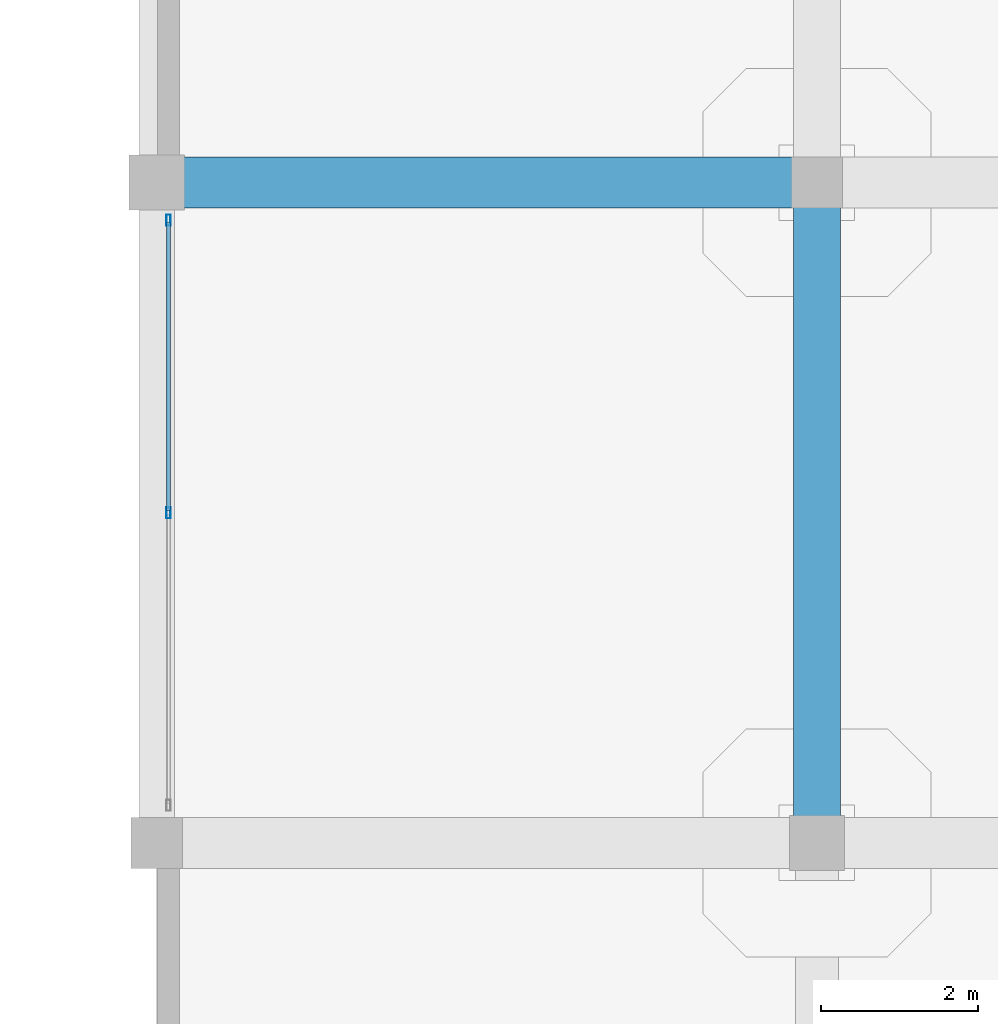
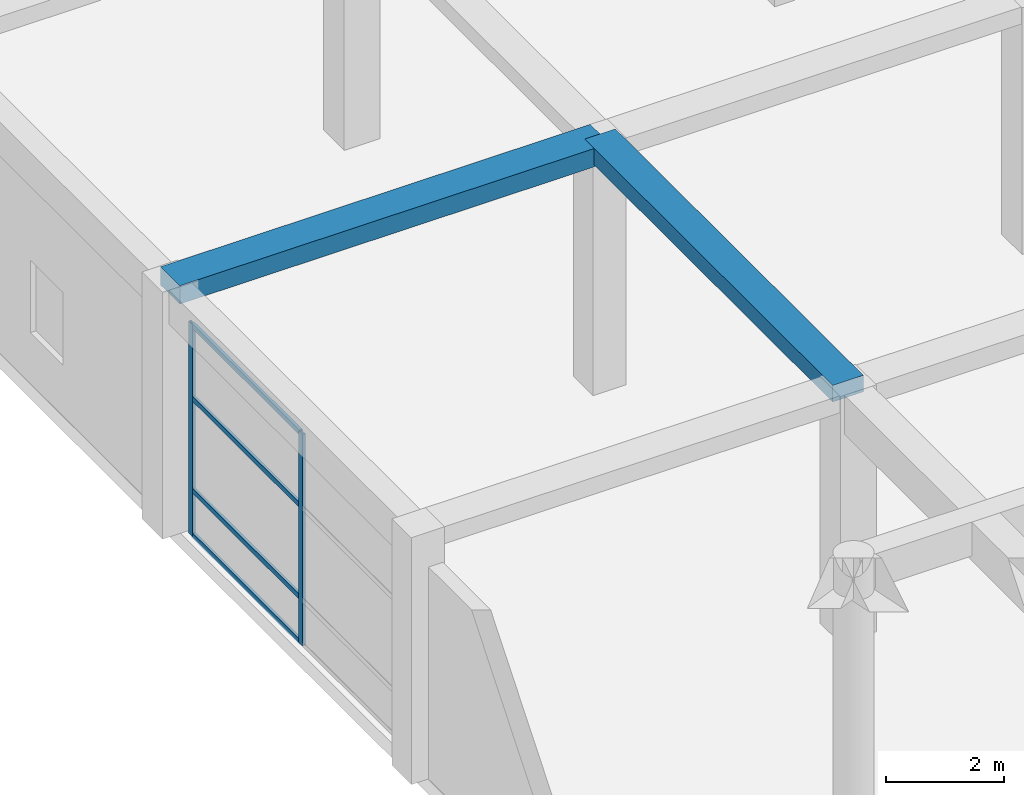
# One storey, part 17 of 96: 6 members, 2 beams, 1 element without a shape of its own.
"""IFC4 building model written with IfcOpenShell, lengths in metres."""

from ifc_helpers import new_model, si_unit, direction, frame, origin, origin_2d, place, context, subcontext, project, spatial, rectangle, hollow_rectangle, extrude, material, material_profile, profile_set, type_object, element, aggregate, save


model = new_model("IFC4")

# Units and contexts
model_context = context("Model", 3, precision=1e-05, world=origin(), true_north=direction((0.0, 1.0)))
body_context = subcontext(model_context, "Body", "Model", "MODEL_VIEW")
ifc_project = project(units=[si_unit("LENGTHUNIT", "METRE"), si_unit("AREAUNIT", "SQUARE_METRE"), si_unit("VOLUMEUNIT", "CUBIC_METRE"), si_unit("PLANEANGLEUNIT", "RADIAN"), si_unit("MASSUNIT", "GRAM", prefix="KILO")], contexts=[model_context])

# Site, building, storey
site_placement = place(None, origin())
site = spatial("IfcSite", under=ifc_project, at=site_placement, CompositionType="ELEMENT")
building_placement = place(site_placement, origin())
building = spatial("IfcBuilding", under=site, at=building_placement, Name="Almacenes y Pasaje Nevantli", CompositionType="ELEMENT")
storey_placement = place(building_placement, frame((0.0, 0.0, 6.0)))
storey = spatial("IfcBuildingStorey", under=building, at=storey_placement, Name="L02", CompositionType="ELEMENT", Elevation=6.0)

# Beams
ifc_material_1 = material(Name="Concrete C35/45", Category="concrete")
ifc_material_profile_1 = material_profile(ifc_material_1, rectangle(XDim=0.60009765625, YDim=0.340087890625, at=origin_2d()), Name="RC-BM-600x340")
ifc_profile_set_1 = profile_set([ifc_material_profile_1], Name="Concrete C35/45")
beam_type_1 = type_object("IfcBeamType", Name="BM-RC-600x340", PredefinedType="BEAM", material=ifc_profile_set_1)
beam_1_placement = place(storey_placement, frame((8.39990234375, 25.199951171875, 4.929931640625), z_axis=(0.0, 1.0, 0.0), x_axis=(-1.0, 0.0, 0.0)))
element("IfcBeam", 1, at=beam_1_placement, inside=storey, type_object=beam_type_1, Name="L02 North-South Reinforced Concrete Beam #1977", PredefinedType="BEAM", context=body_context, shape_type="SweptSolid", body=[
    extrude(rectangle(XDim=0.60009765625, YDim=0.340087890625, at=origin_2d()), origin(), (0.0, 0.0, 1.0), 8.400146484375),
])
ifc_material_2 = material(Name="Concrete C35/45", Category="concrete")
ifc_material_profile_2 = material_profile(ifc_material_2, rectangle(XDim=0.64990234375, YDim=0.3798828125, at=origin_2d()), Name="RC-BM-650x380")
ifc_profile_set_2 = profile_set([ifc_material_profile_2], Name="Concrete C35/45")
beam_type_2 = type_object("IfcBeamType", Name="BM-RC-650x380", PredefinedType="BEAM", material=ifc_profile_set_2)
beam_2_placement = place(storey_placement, frame((0.0, 33.60009765625, 4.909912109375), z_axis=(1.0, 0.0, 0.0), x_axis=(0.0, 1.0, 0.0)))
element("IfcBeam", 2, at=beam_2_placement, inside=storey, type_object=beam_type_2, Name="L02 East-West Reinforced Concrete Beam #1785", PredefinedType="BEAM", context=body_context, shape_type="SweptSolid", body=[
    extrude(rectangle(XDim=0.64990234375, YDim=0.3798828125, at=origin_2d()), origin(), (0.0, 0.0, 1.0), 8.39990234375),
])

# Curtain wall, members
ifc_material_3 = material(Name="Thermally Broken Aluminium and Low-E Glass", Category="aluminium")
curtain_wall_type = type_object("IfcCurtainWallType", Name="CW-UNIT-PODIUM", PredefinedType="USERDEFINED", material=ifc_material_3)
curtain_wall_placement = place(storey_placement, origin())
curtain_wall = element("IfcCurtainWall", 3, at=curtain_wall_placement, inside=storey, type_object=curtain_wall_type, Name="L02 West Avenue Unitized Curtain Wall Bay 4", ObjectType="UNITIZED CURTAIN WALL", PredefinedType="USERDEFINED")
ifc_material_4 = material(Name="Thermally Broken Anodized Aluminium", Category="aluminium")
ifc_material_profile_3 = material_profile(ifc_material_4, hollow_rectangle(XDim=0.054931640625, YDim=0.139892578125, WallThickness=0.00341796875, at=origin_2d()), Name="ALU-MUL-55x140")
ifc_profile_set_3 = profile_set([ifc_material_profile_3], Name="Thermally Broken Anodized Aluminium")
member_type_1 = type_object("IfcMemberType", Name="CW-MUL-160", PredefinedType="MULLION", material=ifc_profile_set_3)
member_1_placement = place(storey_placement, frame((0.14990234375, 29.39990234375, 0.0), z_axis=(0.0, 0.0, 1.0), x_axis=(-1.0, 0.0, 0.0)))
member_1 = element("IfcMember", 4, at=member_1_placement, type_object=member_type_1, Name="CW-L02-015 mullion 2", PredefinedType="MULLION", context=body_context, shape_type="SweptSolid", body=[
    extrude(hollow_rectangle(XDim=0.054931640625, YDim=0.139892578125, WallThickness=0.00341796875, at=origin_2d()), origin(), (0.0, 0.0, 1.0), 4.3798828125),
])
member_2_placement = place(storey_placement, frame((0.14990234375, 33.12255859375, 0.0), z_axis=(0.0, 0.0, 1.0), x_axis=(-1.0, 0.0, 0.0)))
member_2 = element("IfcMember", 5, at=member_2_placement, type_object=member_type_1, Name="CW-L02-015 mullion 3", PredefinedType="MULLION", context=body_context, shape_type="SweptSolid", body=[
    extrude(hollow_rectangle(XDim=0.054931640625, YDim=0.139892578125, WallThickness=0.00341796875, at=origin_2d()), origin(), (0.0, 0.0, 1.0), 4.3798828125),
])
ifc_material_5 = material(Name="Thermally Broken Anodized Aluminium", Category="aluminium")
ifc_material_profile_4 = material_profile(ifc_material_5, hollow_rectangle(XDim=0.054931640625, YDim=0.10498046875, WallThickness=0.003173828125, at=origin_2d()), Name="ALU-TRN-55x105")
ifc_profile_set_4 = profile_set([ifc_material_profile_4], Name="Thermally Broken Anodized Aluminium")
member_type_2 = type_object("IfcMemberType", Name="CW-TRN-120", PredefinedType="USERDEFINED", material=ifc_profile_set_4)
member_3_placement = place(storey_placement, frame((0.14990234375, 29.427490234375, 0.027587890625), z_axis=(0.0, 1.0, 0.0), x_axis=(-1.0, 0.0, 0.0)))
member_3 = element("IfcMember", 6, at=member_3_placement, type_object=member_type_2, Name="CW-L02-015 transom 2.1", ObjectType="TRANSOM", PredefinedType="USERDEFINED", context=body_context, shape_type="SweptSolid", body=[
    extrude(hollow_rectangle(XDim=0.054931640625, YDim=0.10498046875, WallThickness=0.003173828125, at=origin_2d()), origin(), (0.0, 0.0, 1.0), 3.66748046875),
])
member_4_placement = place(storey_placement, frame((0.14990234375, 29.427490234375, 0.949951171875), z_axis=(0.0, 1.0, 0.0), x_axis=(-1.0, 0.0, 0.0)))
member_4 = element("IfcMember", 7, at=member_4_placement, type_object=member_type_2, Name="CW-L02-015 transom 2.2", ObjectType="TRANSOM", PredefinedType="USERDEFINED", context=body_context, shape_type="SweptSolid", body=[
    extrude(hollow_rectangle(XDim=0.054931640625, YDim=0.10498046875, WallThickness=0.003173828125, at=origin_2d()), origin(), (0.0, 0.0, 1.0), 3.66748046875),
])
member_5_placement = place(storey_placement, frame((0.14990234375, 29.427490234375, 2.85009765625), z_axis=(0.0, 1.0, 0.0), x_axis=(-1.0, 0.0, 0.0)))
member_5 = element("IfcMember", 8, at=member_5_placement, type_object=member_type_2, Name="CW-L02-015 transom 2.3", ObjectType="TRANSOM", PredefinedType="USERDEFINED", context=body_context, shape_type="SweptSolid", body=[
    extrude(hollow_rectangle(XDim=0.054931640625, YDim=0.10498046875, WallThickness=0.003173828125, at=origin_2d()), origin(), (0.0, 0.0, 1.0), 3.66748046875),
])
member_6_placement = place(storey_placement, frame((0.14990234375, 29.427490234375, 4.3525390625), z_axis=(0.0, 1.0, 0.0), x_axis=(-1.0, 0.0, 0.0)))
member_6 = element("IfcMember", 9, at=member_6_placement, type_object=member_type_2, Name="CW-L02-015 transom 2.4", ObjectType="TRANSOM", PredefinedType="USERDEFINED", context=body_context, shape_type="SweptSolid", body=[
    extrude(hollow_rectangle(XDim=0.054931640625, YDim=0.10498046875, WallThickness=0.003173828125, at=origin_2d()), origin(), (0.0, 0.0, 1.0), 3.66748046875),
])
aggregate(curtain_wall, [member_1, member_2, member_3, member_4, member_5, member_6])

save(model, "model.ifc")
